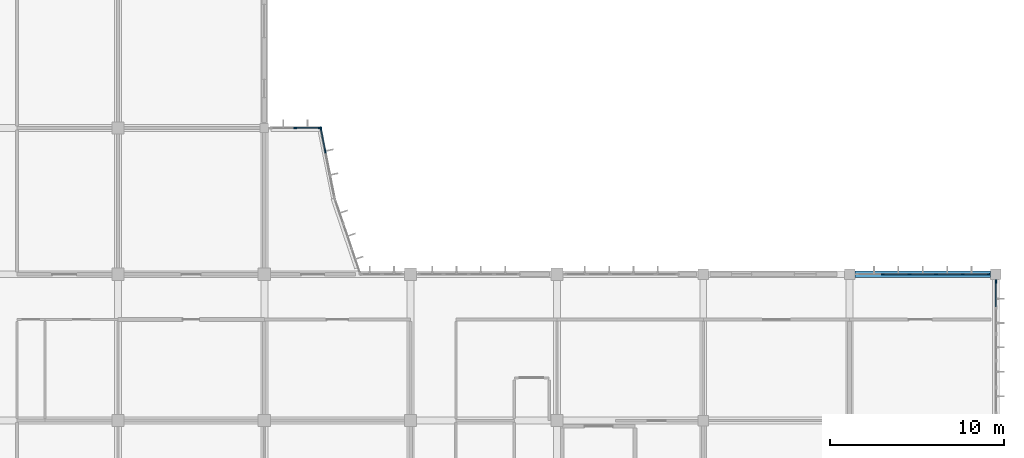
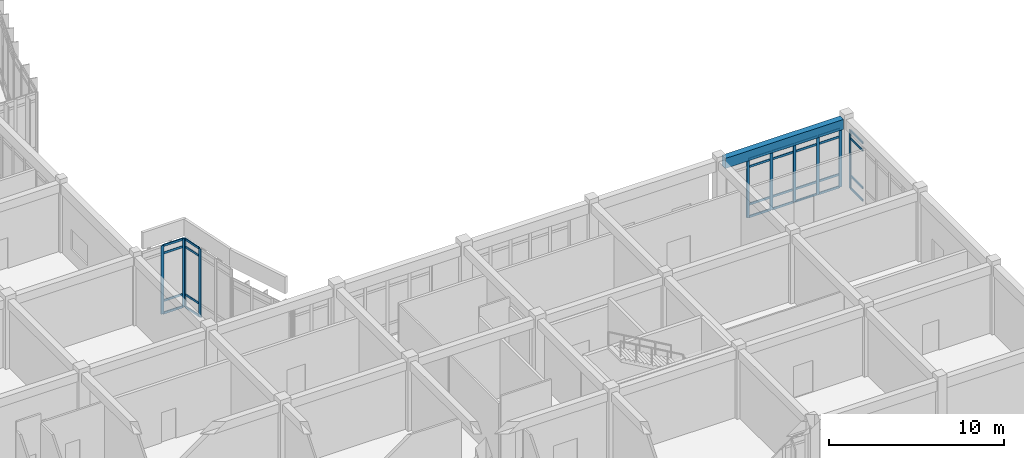
# One storey, part 58 of 134: 38 members, 1 beam, 4 elements without a shape of their own.
"""IFC4 building model written with IfcOpenShell, lengths in metres."""

from ifc_helpers import new_model, si_unit, direction, frame, origin, origin_2d, place, context, subcontext, project, spatial, rectangle, extrude, material, layer, layer_set, material_profile, profile_set, type_object, element, aggregate, save


model = new_model("IFC4")

# Units and contexts
model_context = context("Model", 3, precision=1e-05, world=origin(), true_north=direction((0.0, 1.0)))
body_context = subcontext(model_context, "Body", "Model", "MODEL_VIEW")
ifc_project = project(units=[si_unit("LENGTHUNIT", "METRE"), si_unit("AREAUNIT", "SQUARE_METRE"), si_unit("VOLUMEUNIT", "CUBIC_METRE"), si_unit("PLANEANGLEUNIT", "RADIAN"), si_unit("MASSUNIT", "GRAM", prefix="KILO")], contexts=[model_context])

# Site, building, storey
site_placement = place(None, origin())
site = spatial("IfcSite", under=ifc_project, at=site_placement, CompositionType="ELEMENT")
building_placement = place(site_placement, origin())
building = spatial("IfcBuilding", under=site, at=building_placement, Name="Bramfleet General Hospital", CompositionType="ELEMENT")
storey_placement = place(building_placement, frame((0.0, 0.0, 9.300048828125)))
storey = spatial("IfcBuildingStorey", under=building, at=storey_placement, Name="L02", CompositionType="ELEMENT", Elevation=9.300048828125)

# Beam
ifc_material_1 = material(Name="Concrete C35/45", Category="concrete")
ifc_material_profile_1 = material_profile(ifc_material_1, rectangle(XDim=0.39990234375, YDim=0.699951171875, at=origin_2d()), Name="RC SP 700x400")
ifc_profile_set_1 = profile_set([ifc_material_profile_1], Name="Concrete C35/45")
beam_type = type_object("IfcBeamType", Name="BM-SP700", PredefinedType="SPANDREL", material=ifc_profile_set_1)
beam_placement = place(storey_placement, frame((159.89990234375, 25.199951171875, 4.429931640625), z_axis=(1.0, 0.0, 0.0), x_axis=(0.0, 1.0, 0.0)))
element("IfcBeam", 1, at=beam_placement, inside=storey, type_object=beam_type, Name="L02 Grid Beam X 19-03", PredefinedType="SPANDREL", context=body_context, shape_type="SweptSolid", body=[
    extrude(rectangle(XDim=0.39990234375, YDim=0.699951171875, at=origin_2d()), origin(), (0.0, 0.0, 1.0), 7.800048828125),
])

# Curtain wall, members
ifc_material_2 = material(Name="Anodised aluminium and low-E triple glazing", Category="aluminium")
ifc_layer_1 = layer(ifc_material_2, 0.179931640625, Name="CWT-CW-07")
ifc_layer_set_1 = layer_set([ifc_layer_1], Name="Anodised aluminium and low-E triple glazing")
curtain_wall_type_1 = type_object("IfcCurtainWallType", Name="CWT-CW-07", PredefinedType="USERDEFINED", material=ifc_layer_set_1)
curtain_wall_1_placement = place(storey_placement, origin())
curtain_wall_1 = element("IfcCurtainWall", 2, at=curtain_wall_1_placement, inside=storey, type_object=curtain_wall_type_1, Name="L02 Curtain Wall 115", ObjectType="Unitised curtain wall", PredefinedType="USERDEFINED")
ifc_material_3 = material(Name="Structural timber GL28h", Category="wood")
ifc_material_profile_2 = material_profile(ifc_material_3, rectangle(XDim=0.070068359375, YDim=0.18994140625, at=origin_2d()), Name="LARCH 190x70")
ifc_profile_set_2 = profile_set([ifc_material_profile_2], Name="Structural timber GL28h")
member_type_1 = type_object("IfcMemberType", Name="CWM-LARCH450", PredefinedType="MULLION", material=ifc_profile_set_2)
member_1_placement = place(storey_placement, frame((127.780029296875, 33.60009765625, 0.0), z_axis=(0.0, 0.0, 1.0), x_axis=(0.0, 1.0, 0.0)))
member_1 = element("IfcMember", 3, at=member_1_placement, type_object=member_type_1, Name="CW-07 mullion 2", PredefinedType="MULLION", context=body_context, shape_type="SweptSolid", body=[
    extrude(rectangle(XDim=0.070068359375, YDim=0.18994140625, at=origin_2d()), origin(), (0.0, 0.0, 1.0), 4.77001953125),
])
member_2_placement = place(storey_placement, frame((129.199951171875, 33.60009765625, 0.0), z_axis=(0.0, 0.0, 1.0), x_axis=(0.0, 1.0, 0.0)))
member_2 = element("IfcMember", 4, at=member_2_placement, type_object=member_type_1, Name="CW-07 mullion 3", PredefinedType="MULLION", context=body_context, shape_type="SweptSolid", body=[
    extrude(rectangle(XDim=0.070068359375, YDim=0.18994140625, at=origin_2d()), origin(), (0.0, 0.0, 1.0), 4.77001953125),
])

ifc_layer_2 = layer(ifc_material_2, 0.179931640625, Name="CWT-CW-08")
ifc_layer_set_2 = layer_set([ifc_layer_2], Name="Anodised aluminium and low-E triple glazing")
curtain_wall_type_2 = type_object("IfcCurtainWallType", Name="CWT-CW-08", PredefinedType="USERDEFINED", material=ifc_layer_set_2)
curtain_wall_2_placement = place(storey_placement, origin())
curtain_wall_2 = element("IfcCurtainWall", 5, at=curtain_wall_2_placement, inside=storey, type_object=curtain_wall_type_2, Name="L02 Curtain Wall 116", ObjectType="Unitised curtain wall", PredefinedType="USERDEFINED")
member_3_placement = place(storey_placement, frame((129.241943359375, 33.565673828125, 0.0), z_axis=(0.0, 0.0, 1.0), x_axis=(0.980749087161, 0.195272189606, 0.0)))
member_3 = element("IfcMember", 6, at=member_3_placement, type_object=member_type_1, Name="CW-08 mullion 1", PredefinedType="MULLION", context=body_context, shape_type="SweptSolid", body=[
    extrude(rectangle(XDim=0.070068359375, YDim=0.18994140625, at=origin_2d()), origin(), (0.0, 0.0, 1.0), 4.77001953125),
])
member_4_placement = place(storey_placement, frame((129.501953125, 32.259033203125, 0.0), z_axis=(0.0, 0.0, 1.0), x_axis=(0.980749087161, 0.195272189606, 0.0)))
member_4 = element("IfcMember", 7, at=member_4_placement, type_object=member_type_1, Name="CW-08 mullion 2", PredefinedType="MULLION", context=body_context, shape_type="SweptSolid", body=[
    extrude(rectangle(XDim=0.070068359375, YDim=0.18994140625, at=origin_2d()), origin(), (0.0, 0.0, 1.0), 4.77001953125),
])

ifc_layer_3 = layer(ifc_material_2, 0.179931640625, Name="CWT-CW-13")
ifc_layer_set_3 = layer_set([ifc_layer_3], Name="Anodised aluminium and low-E triple glazing")
curtain_wall_type_3 = type_object("IfcCurtainWallType", Name="CWT-CW-13", PredefinedType="USERDEFINED", material=ifc_layer_set_3)
curtain_wall_3_placement = place(storey_placement, origin())
curtain_wall_3 = element("IfcCurtainWall", 8, at=curtain_wall_3_placement, inside=storey, type_object=curtain_wall_type_3, Name="L02 Curtain Wall 121", ObjectType="Stick curtain wall", PredefinedType="USERDEFINED")
member_5_placement = place(storey_placement, frame((161.5048828125, 25.199951171875, 0.0), z_axis=(0.0, 0.0, 1.0), x_axis=(0.0, 1.0, 0.0)))
member_5 = element("IfcMember", 9, at=member_5_placement, type_object=member_type_1, Name="CW-13 mullion 2", PredefinedType="MULLION", context=body_context, shape_type="SweptSolid", body=[
    extrude(rectangle(XDim=0.070068359375, YDim=0.18994140625, at=origin_2d()), origin(), (0.0, 0.0, 1.0), 4.070068359375),
])
member_6_placement = place(storey_placement, frame((163.034912109375, 25.199951171875, 0.0), z_axis=(0.0, 0.0, 1.0), x_axis=(0.0, 1.0, 0.0)))
member_6 = element("IfcMember", 10, at=member_6_placement, type_object=member_type_1, Name="CW-13 mullion 3", PredefinedType="MULLION", context=body_context, shape_type="SweptSolid", body=[
    extrude(rectangle(XDim=0.070068359375, YDim=0.18994140625, at=origin_2d()), origin(), (0.0, 0.0, 1.0), 4.070068359375),
])
member_7_placement = place(storey_placement, frame((164.56494140625, 25.199951171875, 0.0), z_axis=(0.0, 0.0, 1.0), x_axis=(0.0, 1.0, 0.0)))
member_7 = element("IfcMember", 11, at=member_7_placement, type_object=member_type_1, Name="CW-13 mullion 4", PredefinedType="MULLION", context=body_context, shape_type="SweptSolid", body=[
    extrude(rectangle(XDim=0.070068359375, YDim=0.18994140625, at=origin_2d()), origin(), (0.0, 0.0, 1.0), 4.070068359375),
])
member_8_placement = place(storey_placement, frame((166.094970703125, 25.199951171875, 0.0), z_axis=(0.0, 0.0, 1.0), x_axis=(0.0, 1.0, 0.0)))
member_8 = element("IfcMember", 12, at=member_8_placement, type_object=member_type_1, Name="CW-13 mullion 5", PredefinedType="MULLION", context=body_context, shape_type="SweptSolid", body=[
    extrude(rectangle(XDim=0.070068359375, YDim=0.18994140625, at=origin_2d()), origin(), (0.0, 0.0, 1.0), 4.070068359375),
])
member_9_placement = place(storey_placement, frame((167.590087890625, 25.199951171875, 0.0), z_axis=(0.0, 0.0, 1.0), x_axis=(0.0, 1.0, 0.0)))
member_9 = element("IfcMember", 13, at=member_9_placement, type_object=member_type_1, Name="CW-13 mullion 6", PredefinedType="MULLION", context=body_context, shape_type="SweptSolid", body=[
    extrude(rectangle(XDim=0.070068359375, YDim=0.18994140625, at=origin_2d()), origin(), (0.0, 0.0, 1.0), 4.070068359375),
])

# Curtain wall, member
ifc_layer_4 = layer(ifc_material_2, 0.179931640625, Name="CWT-CW-14")
ifc_layer_set_4 = layer_set([ifc_layer_4], Name="Anodised aluminium and low-E triple glazing")
curtain_wall_type_4 = type_object("IfcCurtainWallType", Name="CWT-CW-14", PredefinedType="USERDEFINED", material=ifc_layer_set_4)
curtain_wall_4_placement = place(storey_placement, origin())
curtain_wall_4 = element("IfcCurtainWall", 14, at=curtain_wall_4_placement, inside=storey, type_object=curtain_wall_type_4, Name="L02 Curtain Wall 122", ObjectType="Stick curtain wall", PredefinedType="USERDEFINED")
member_10_placement = place(storey_placement, frame((168.0, 24.7900390625, 0.0), z_axis=(0.0, 0.0, 1.0), x_axis=(1.0, 0.0, 0.0)))
member_10 = element("IfcMember", 15, at=member_10_placement, type_object=member_type_1, Name="CW-14 mullion 1", PredefinedType="MULLION", context=body_context, shape_type="SweptSolid", body=[
    extrude(rectangle(XDim=0.070068359375, YDim=0.18994140625, at=origin_2d()), origin(), (0.0, 0.0, 1.0), 4.070068359375),
])

# Member
ifc_material_profile_3 = material_profile(ifc_material_3, rectangle(XDim=0.06494140625, YDim=0.14990234375, at=origin_2d()), Name="LARCH 150x65")
ifc_profile_set_3 = profile_set([ifc_material_profile_3], Name="Structural timber GL28h")
member_type_2 = type_object("IfcMemberType", Name="CWT-LARCH220", PredefinedType="USERDEFINED", material=ifc_profile_set_3)
member_11_placement = place(storey_placement, frame((127.81494140625, 33.60009765625, 0.032470703125), z_axis=(1.0, 0.0, 0.0), x_axis=(0.0, 1.0, 0.0)))
member_11 = element("IfcMember", 16, at=member_11_placement, type_object=member_type_2, Name="CW-07 transom 2.1", ObjectType="TRANSOM", PredefinedType="USERDEFINED", context=body_context, shape_type="SweptSolid", body=[
    extrude(rectangle(XDim=0.06494140625, YDim=0.14990234375, at=origin_2d()), origin(), (0.0, 0.0, 1.0), 1.35009765625),
])

member_12_placement = place(storey_placement, frame((127.81494140625, 33.60009765625, 0.89990234375), z_axis=(1.0, 0.0, 0.0), x_axis=(0.0, 1.0, 0.0)))
member_12 = element("IfcMember", 17, at=member_12_placement, type_object=member_type_2, Name="CW-07 transom 2.2", ObjectType="TRANSOM", PredefinedType="USERDEFINED", context=body_context, shape_type="SweptSolid", body=[
    extrude(rectangle(XDim=0.06494140625, YDim=0.14990234375, at=origin_2d()), origin(), (0.0, 0.0, 1.0), 1.35009765625),
])

member_13_placement = place(storey_placement, frame((127.81494140625, 33.60009765625, 4.219970703125), z_axis=(1.0, 0.0, 0.0), x_axis=(0.0, 1.0, 0.0)))
member_13 = element("IfcMember", 18, at=member_13_placement, type_object=member_type_2, Name="CW-07 transom 2.3", ObjectType="TRANSOM", PredefinedType="USERDEFINED", context=body_context, shape_type="SweptSolid", body=[
    extrude(rectangle(XDim=0.06494140625, YDim=0.14990234375, at=origin_2d()), origin(), (0.0, 0.0, 1.0), 1.35009765625),
])

member_14_placement = place(storey_placement, frame((127.81494140625, 33.60009765625, 4.737548828125), z_axis=(1.0, 0.0, 0.0), x_axis=(0.0, 1.0, 0.0)))
member_14 = element("IfcMember", 19, at=member_14_placement, type_object=member_type_2, Name="CW-07 transom 2.4", ObjectType="TRANSOM", PredefinedType="USERDEFINED", context=body_context, shape_type="SweptSolid", body=[
    extrude(rectangle(XDim=0.06494140625, YDim=0.14990234375, at=origin_2d()), origin(), (0.0, 0.0, 1.0), 1.35009765625),
])

aggregate(curtain_wall_1, [member_1, member_2, member_11, member_12, member_13, member_14])

member_15_placement = place(storey_placement, frame((129.248779296875, 33.53125, 0.032470703125), z_axis=(0.195148998153, -0.980773607169, 0.0), x_axis=(0.980773607169, 0.195148998153, 0.0)))
member_15 = element("IfcMember", 20, at=member_15_placement, type_object=member_type_2, Name="CW-08 transom 1.1", ObjectType="TRANSOM", PredefinedType="USERDEFINED", context=body_context, shape_type="SweptSolid", body=[
    extrude(rectangle(XDim=0.06494140625, YDim=0.14990234375, at=origin_2d()), origin(), (0.0, 0.0, 1.0), 1.26220703125),
])

member_16_placement = place(storey_placement, frame((129.248779296875, 33.53125, 0.89990234375), z_axis=(0.195148998153, -0.980773607169, 0.0), x_axis=(0.980773607169, 0.195148998153, 0.0)))
member_16 = element("IfcMember", 21, at=member_16_placement, type_object=member_type_2, Name="CW-08 transom 1.2", ObjectType="TRANSOM", PredefinedType="USERDEFINED", context=body_context, shape_type="SweptSolid", body=[
    extrude(rectangle(XDim=0.06494140625, YDim=0.14990234375, at=origin_2d()), origin(), (0.0, 0.0, 1.0), 1.26220703125),
])

member_17_placement = place(storey_placement, frame((129.248779296875, 33.53125, 4.219970703125), z_axis=(0.195148998153, -0.980773607169, 0.0), x_axis=(0.980773607169, 0.195148998153, 0.0)))
member_17 = element("IfcMember", 22, at=member_17_placement, type_object=member_type_2, Name="CW-08 transom 1.3", ObjectType="TRANSOM", PredefinedType="USERDEFINED", context=body_context, shape_type="SweptSolid", body=[
    extrude(rectangle(XDim=0.06494140625, YDim=0.14990234375, at=origin_2d()), origin(), (0.0, 0.0, 1.0), 1.26220703125),
])

member_18_placement = place(storey_placement, frame((129.248779296875, 33.53125, 4.737548828125), z_axis=(0.195148998153, -0.980773607169, 0.0), x_axis=(0.980773607169, 0.195148998153, 0.0)))
member_18 = element("IfcMember", 23, at=member_18_placement, type_object=member_type_2, Name="CW-08 transom 1.4", ObjectType="TRANSOM", PredefinedType="USERDEFINED", context=body_context, shape_type="SweptSolid", body=[
    extrude(rectangle(XDim=0.06494140625, YDim=0.14990234375, at=origin_2d()), origin(), (0.0, 0.0, 1.0), 1.26220703125),
])

aggregate(curtain_wall_2, [member_3, member_4, member_15, member_16, member_17, member_18])

member_19_placement = place(storey_placement, frame((161.5400390625, 25.199951171875, 0.032470703125), z_axis=(1.0, 0.0, 0.0), x_axis=(0.0, 1.0, 0.0)))
member_19 = element("IfcMember", 24, at=member_19_placement, type_object=member_type_2, Name="CW-13 transom 2.1", ObjectType="TRANSOM", PredefinedType="USERDEFINED", context=body_context, shape_type="SweptSolid", body=[
    extrude(rectangle(XDim=0.06494140625, YDim=0.14990234375, at=origin_2d()), origin(), (0.0, 0.0, 1.0), 1.4599609375),
])

member_20_placement = place(storey_placement, frame((161.5400390625, 25.199951171875, 0.89990234375), z_axis=(1.0, 0.0, 0.0), x_axis=(0.0, 1.0, 0.0)))
member_20 = element("IfcMember", 25, at=member_20_placement, type_object=member_type_2, Name="CW-13 transom 2.2", ObjectType="TRANSOM", PredefinedType="USERDEFINED", context=body_context, shape_type="SweptSolid", body=[
    extrude(rectangle(XDim=0.06494140625, YDim=0.14990234375, at=origin_2d()), origin(), (0.0, 0.0, 1.0), 1.4599609375),
])

member_21_placement = place(storey_placement, frame((161.5400390625, 25.199951171875, 3.52001953125), z_axis=(1.0, 0.0, 0.0), x_axis=(0.0, 1.0, 0.0)))
member_21 = element("IfcMember", 26, at=member_21_placement, type_object=member_type_2, Name="CW-13 transom 2.3", ObjectType="TRANSOM", PredefinedType="USERDEFINED", context=body_context, shape_type="SweptSolid", body=[
    extrude(rectangle(XDim=0.06494140625, YDim=0.14990234375, at=origin_2d()), origin(), (0.0, 0.0, 1.0), 1.4599609375),
])

member_22_placement = place(storey_placement, frame((161.5400390625, 25.199951171875, 4.037353515625), z_axis=(1.0, 0.0, 0.0), x_axis=(0.0, 1.0, 0.0)))
member_22 = element("IfcMember", 27, at=member_22_placement, type_object=member_type_2, Name="CW-13 transom 2.4", ObjectType="TRANSOM", PredefinedType="USERDEFINED", context=body_context, shape_type="SweptSolid", body=[
    extrude(rectangle(XDim=0.06494140625, YDim=0.14990234375, at=origin_2d()), origin(), (0.0, 0.0, 1.0), 1.4599609375),
])

member_23_placement = place(storey_placement, frame((163.070068359375, 25.199951171875, 0.032470703125), z_axis=(1.0, 0.0, 0.0), x_axis=(0.0, 1.0, 0.0)))
member_23 = element("IfcMember", 28, at=member_23_placement, type_object=member_type_2, Name="CW-13 transom 3.1", ObjectType="TRANSOM", PredefinedType="USERDEFINED", context=body_context, shape_type="SweptSolid", body=[
    extrude(rectangle(XDim=0.06494140625, YDim=0.14990234375, at=origin_2d()), origin(), (0.0, 0.0, 1.0), 1.4599609375),
])

member_24_placement = place(storey_placement, frame((163.070068359375, 25.199951171875, 0.89990234375), z_axis=(1.0, 0.0, 0.0), x_axis=(0.0, 1.0, 0.0)))
member_24 = element("IfcMember", 29, at=member_24_placement, type_object=member_type_2, Name="CW-13 transom 3.2", ObjectType="TRANSOM", PredefinedType="USERDEFINED", context=body_context, shape_type="SweptSolid", body=[
    extrude(rectangle(XDim=0.06494140625, YDim=0.14990234375, at=origin_2d()), origin(), (0.0, 0.0, 1.0), 1.4599609375),
])

member_25_placement = place(storey_placement, frame((163.070068359375, 25.199951171875, 3.52001953125), z_axis=(1.0, 0.0, 0.0), x_axis=(0.0, 1.0, 0.0)))
member_25 = element("IfcMember", 30, at=member_25_placement, type_object=member_type_2, Name="CW-13 transom 3.3", ObjectType="TRANSOM", PredefinedType="USERDEFINED", context=body_context, shape_type="SweptSolid", body=[
    extrude(rectangle(XDim=0.06494140625, YDim=0.14990234375, at=origin_2d()), origin(), (0.0, 0.0, 1.0), 1.4599609375),
])

member_26_placement = place(storey_placement, frame((163.070068359375, 25.199951171875, 4.037353515625), z_axis=(1.0, 0.0, 0.0), x_axis=(0.0, 1.0, 0.0)))
member_26 = element("IfcMember", 31, at=member_26_placement, type_object=member_type_2, Name="CW-13 transom 3.4", ObjectType="TRANSOM", PredefinedType="USERDEFINED", context=body_context, shape_type="SweptSolid", body=[
    extrude(rectangle(XDim=0.06494140625, YDim=0.14990234375, at=origin_2d()), origin(), (0.0, 0.0, 1.0), 1.4599609375),
])

member_27_placement = place(storey_placement, frame((164.60009765625, 25.199951171875, 0.032470703125), z_axis=(1.0, 0.0, 0.0), x_axis=(0.0, 1.0, 0.0)))
member_27 = element("IfcMember", 32, at=member_27_placement, type_object=member_type_2, Name="CW-13 transom 4.1", ObjectType="TRANSOM", PredefinedType="USERDEFINED", context=body_context, shape_type="SweptSolid", body=[
    extrude(rectangle(XDim=0.06494140625, YDim=0.14990234375, at=origin_2d()), origin(), (0.0, 0.0, 1.0), 1.4599609375),
])

member_28_placement = place(storey_placement, frame((164.60009765625, 25.199951171875, 0.89990234375), z_axis=(1.0, 0.0, 0.0), x_axis=(0.0, 1.0, 0.0)))
member_28 = element("IfcMember", 33, at=member_28_placement, type_object=member_type_2, Name="CW-13 transom 4.2", ObjectType="TRANSOM", PredefinedType="USERDEFINED", context=body_context, shape_type="SweptSolid", body=[
    extrude(rectangle(XDim=0.06494140625, YDim=0.14990234375, at=origin_2d()), origin(), (0.0, 0.0, 1.0), 1.4599609375),
])

member_29_placement = place(storey_placement, frame((164.60009765625, 25.199951171875, 3.52001953125), z_axis=(1.0, 0.0, 0.0), x_axis=(0.0, 1.0, 0.0)))
member_29 = element("IfcMember", 34, at=member_29_placement, type_object=member_type_2, Name="CW-13 transom 4.3", ObjectType="TRANSOM", PredefinedType="USERDEFINED", context=body_context, shape_type="SweptSolid", body=[
    extrude(rectangle(XDim=0.06494140625, YDim=0.14990234375, at=origin_2d()), origin(), (0.0, 0.0, 1.0), 1.4599609375),
])

member_30_placement = place(storey_placement, frame((164.60009765625, 25.199951171875, 4.037353515625), z_axis=(1.0, 0.0, 0.0), x_axis=(0.0, 1.0, 0.0)))
member_30 = element("IfcMember", 35, at=member_30_placement, type_object=member_type_2, Name="CW-13 transom 4.4", ObjectType="TRANSOM", PredefinedType="USERDEFINED", context=body_context, shape_type="SweptSolid", body=[
    extrude(rectangle(XDim=0.06494140625, YDim=0.14990234375, at=origin_2d()), origin(), (0.0, 0.0, 1.0), 1.4599609375),
])

member_31_placement = place(storey_placement, frame((166.1298828125, 25.199951171875, 0.032470703125), z_axis=(1.0, 0.0, 0.0), x_axis=(0.0, 1.0, 0.0)))
member_31 = element("IfcMember", 36, at=member_31_placement, type_object=member_type_2, Name="CW-13 transom 5.1", ObjectType="TRANSOM", PredefinedType="USERDEFINED", context=body_context, shape_type="SweptSolid", body=[
    extrude(rectangle(XDim=0.06494140625, YDim=0.14990234375, at=origin_2d()), origin(), (0.0, 0.0, 1.0), 1.425048828125),
])

member_32_placement = place(storey_placement, frame((166.1298828125, 25.199951171875, 0.89990234375), z_axis=(1.0, 0.0, 0.0), x_axis=(0.0, 1.0, 0.0)))
member_32 = element("IfcMember", 37, at=member_32_placement, type_object=member_type_2, Name="CW-13 transom 5.2", ObjectType="TRANSOM", PredefinedType="USERDEFINED", context=body_context, shape_type="SweptSolid", body=[
    extrude(rectangle(XDim=0.06494140625, YDim=0.14990234375, at=origin_2d()), origin(), (0.0, 0.0, 1.0), 1.425048828125),
])

member_33_placement = place(storey_placement, frame((166.1298828125, 25.199951171875, 3.52001953125), z_axis=(1.0, 0.0, 0.0), x_axis=(0.0, 1.0, 0.0)))
member_33 = element("IfcMember", 38, at=member_33_placement, type_object=member_type_2, Name="CW-13 transom 5.3", ObjectType="TRANSOM", PredefinedType="USERDEFINED", context=body_context, shape_type="SweptSolid", body=[
    extrude(rectangle(XDim=0.06494140625, YDim=0.14990234375, at=origin_2d()), origin(), (0.0, 0.0, 1.0), 1.425048828125),
])

member_34_placement = place(storey_placement, frame((166.1298828125, 25.199951171875, 4.037353515625), z_axis=(1.0, 0.0, 0.0), x_axis=(0.0, 1.0, 0.0)))
member_34 = element("IfcMember", 39, at=member_34_placement, type_object=member_type_2, Name="CW-13 transom 5.4", ObjectType="TRANSOM", PredefinedType="USERDEFINED", context=body_context, shape_type="SweptSolid", body=[
    extrude(rectangle(XDim=0.06494140625, YDim=0.14990234375, at=origin_2d()), origin(), (0.0, 0.0, 1.0), 1.425048828125),
])

aggregate(curtain_wall_3, [member_5, member_6, member_7, member_8, member_9, member_19, member_20, member_21, member_22, member_23, member_24, member_25, member_26, member_27, member_28, member_29, member_30, member_31, member_32, member_33, member_34])

member_35_placement = place(storey_placement, frame((168.0, 24.7548828125, 0.032470703125), z_axis=(0.0, -1.0, 0.0), x_axis=(1.0, 0.0, 0.0)))
member_35 = element("IfcMember", 40, at=member_35_placement, type_object=member_type_2, Name="CW-14 transom 1.1", ObjectType="TRANSOM", PredefinedType="USERDEFINED", context=body_context, shape_type="SweptSolid", body=[
    extrude(rectangle(XDim=0.06494140625, YDim=0.14990234375, at=origin_2d()), origin(), (0.0, 0.0, 1.0), 1.4248046875),
])

member_36_placement = place(storey_placement, frame((168.0, 24.7548828125, 0.89990234375), z_axis=(0.0, -1.0, 0.0), x_axis=(1.0, 0.0, 0.0)))
member_36 = element("IfcMember", 41, at=member_36_placement, type_object=member_type_2, Name="CW-14 transom 1.2", ObjectType="TRANSOM", PredefinedType="USERDEFINED", context=body_context, shape_type="SweptSolid", body=[
    extrude(rectangle(XDim=0.06494140625, YDim=0.14990234375, at=origin_2d()), origin(), (0.0, 0.0, 1.0), 1.4248046875),
])

member_37_placement = place(storey_placement, frame((168.0, 24.7548828125, 3.52001953125), z_axis=(0.0, -1.0, 0.0), x_axis=(1.0, 0.0, 0.0)))
member_37 = element("IfcMember", 42, at=member_37_placement, type_object=member_type_2, Name="CW-14 transom 1.3", ObjectType="TRANSOM", PredefinedType="USERDEFINED", context=body_context, shape_type="SweptSolid", body=[
    extrude(rectangle(XDim=0.06494140625, YDim=0.14990234375, at=origin_2d()), origin(), (0.0, 0.0, 1.0), 1.4248046875),
])

member_38_placement = place(storey_placement, frame((168.0, 24.7548828125, 4.037353515625), z_axis=(0.0, -1.0, 0.0), x_axis=(1.0, 0.0, 0.0)))
member_38 = element("IfcMember", 43, at=member_38_placement, type_object=member_type_2, Name="CW-14 transom 1.4", ObjectType="TRANSOM", PredefinedType="USERDEFINED", context=body_context, shape_type="SweptSolid", body=[
    extrude(rectangle(XDim=0.06494140625, YDim=0.14990234375, at=origin_2d()), origin(), (0.0, 0.0, 1.0), 1.4248046875),
])

aggregate(curtain_wall_4, [member_10, member_35, member_36, member_37, member_38])

save(model, "model.ifc")
